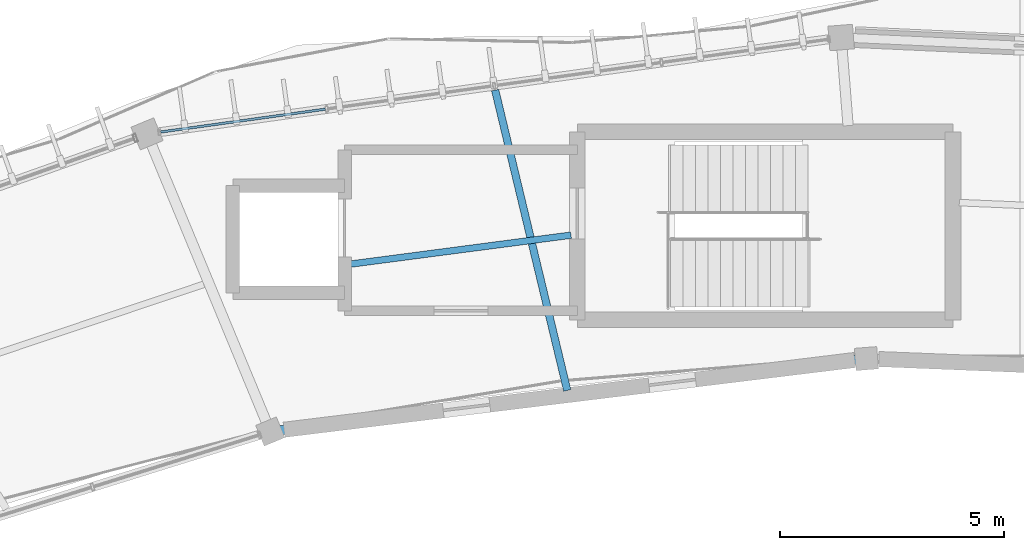
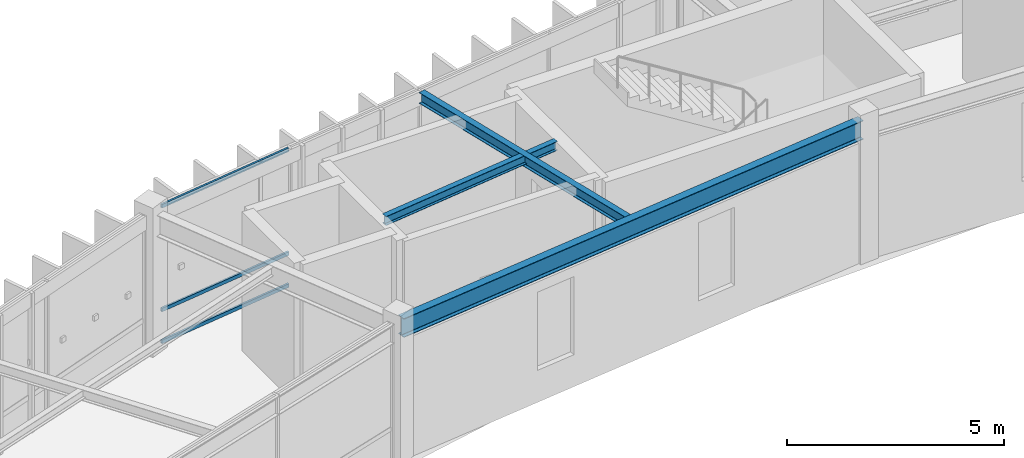
# One storey, part 34 of 79: 3 beams, 3 members, 1 element without a shape of its own.
"""IFC4 building model written with IfcOpenShell, lengths in metres."""

from ifc_helpers import new_model, si_unit, direction, frame, origin, origin_2d, place, context, subcontext, project, spatial, hollow_rectangle, i_section, extrude, material, material_profile, profile_set, type_object, element, aggregate, save


model = new_model("IFC4")

# Units and contexts
model_context = context("Model", 3, precision=1e-05, world=origin(), true_north=direction((0.0, 1.0)))
body_context = subcontext(model_context, "Body", "Model", "MODEL_VIEW")
ifc_project = project(units=[si_unit("LENGTHUNIT", "METRE"), si_unit("AREAUNIT", "SQUARE_METRE"), si_unit("VOLUMEUNIT", "CUBIC_METRE"), si_unit("PLANEANGLEUNIT", "RADIAN"), si_unit("MASSUNIT", "GRAM", prefix="KILO"), si_unit("THERMODYNAMICTEMPERATUREUNIT", "KELVIN"), si_unit("POWERUNIT", "WATT")], contexts=[model_context])

# Site, building, storey
site_placement = place(None, origin())
site = spatial("IfcSite", under=ifc_project, at=site_placement, CompositionType="ELEMENT")
building_placement = place(site_placement, origin())
building = spatial("IfcBuilding", under=site, at=building_placement, Name="Darbajah Civic Hall", CompositionType="ELEMENT")
storey_placement = place(building_placement, frame((0.0, 0.0, 22.199951171875)))
storey = spatial("IfcBuildingStorey", under=building, at=storey_placement, Name="L05", CompositionType="ELEMENT", Elevation=22.199951171875)

# Curtain wall, members
ifc_material_1 = material(Name="Anodised Bronze Aluminium and Low-E Glazing", Category="aluminium")
curtain_wall_type = type_object("IfcCurtainWallType", Name="Unitised Curtain Wall CW-66 15100x3900", PredefinedType="USERDEFINED", material=ifc_material_1)
curtain_wall_placement = place(storey_placement, origin())
curtain_wall = element("IfcCurtainWall", 1, at=curtain_wall_placement, inside=storey, type_object=curtain_wall_type, Name="L05 unitised curtain wall CW-V1O-L05-05", ObjectType="UNITISED CURTAIN WALL", PredefinedType="USERDEFINED")
ifc_material_2 = material(Name="Anodised Bronze Aluminium", Category="aluminium")
ifc_material_profile_1 = material_profile(ifc_material_2, hollow_rectangle(XDim=0.054931640625, YDim=0.10009765625, WallThickness=0.0029296875, at=origin_2d()), Name="ALU TRANSOM 55x100")
ifc_profile_set_1 = profile_set([ifc_material_profile_1], Name="Anodised Bronze Aluminium")
member_type = type_object("IfcMemberType", Name="ALU TRANSOM 55x100", PredefinedType="USERDEFINED", material=ifc_profile_set_1)
member_1_placement = place(storey_placement, frame((73.56689453125, 117.607666015625, 0.050048828125), z_axis=(-0.990491775359, -0.137571955521, 0.0), x_axis=(0.137571955521, -0.990491775359, 0.0)))
member_1 = element("IfcMember", 2, at=member_1_placement, type_object=member_type, Name="CW-V1O-L05-05 transom 4.1", ObjectType="TRANSOM", PredefinedType="USERDEFINED", context=body_context, shape_type="SweptSolid", body=[
    extrude(hollow_rectangle(XDim=0.054931640625, YDim=0.10009765625, WallThickness=0.0029296875, at=origin_2d()), origin(), (0.0, 0.0, 1.0), 3.712646484375),
])
member_2_placement = place(storey_placement, frame((73.56689453125, 117.607666015625, 0.949951171875), z_axis=(-0.990491775359, -0.137571955521, 0.0), x_axis=(0.137571955521, -0.990491775359, 0.0)))
member_2 = element("IfcMember", 3, at=member_2_placement, type_object=member_type, Name="CW-V1O-L05-05 transom 4.2", ObjectType="TRANSOM", PredefinedType="USERDEFINED", context=body_context, shape_type="SweptSolid", body=[
    extrude(hollow_rectangle(XDim=0.054931640625, YDim=0.10009765625, WallThickness=0.0029296875, at=origin_2d()), origin(), (0.0, 0.0, 1.0), 3.712646484375),
])
member_3_placement = place(storey_placement, frame((73.56689453125, 117.607666015625, 3.8701171875), z_axis=(-0.990491775359, -0.137571955521, 0.0), x_axis=(0.137571955521, -0.990491775359, 0.0)))
member_3 = element("IfcMember", 4, at=member_3_placement, type_object=member_type, Name="CW-V1O-L05-05 transom 4.3", ObjectType="TRANSOM", PredefinedType="USERDEFINED", context=body_context, shape_type="SweptSolid", body=[
    extrude(hollow_rectangle(XDim=0.054931640625, YDim=0.10009765625, WallThickness=0.0029296875, at=origin_2d()), origin(), (0.0, 0.0, 1.0), 3.712646484375),
])
aggregate(curtain_wall, [member_1, member_2, member_3])

# Beams
ifc_material_3 = material(Name="Steel S355JR", Category="steel")
ifc_material_profile_2 = material_profile(ifc_material_3, i_section(OverallWidth=0.146484375, OverallDepth=0.256103515625, WebThickness=0.00634765625, FlangeThickness=0.010986328125, FilletRadius=0.007568359375, at=origin_2d()), Name="UB 254x146x37")
ifc_profile_set_2 = profile_set([ifc_material_profile_2], Name="Steel S355JR")
beam_type_1 = type_object("IfcBeamType", Name="UB 254x146x37", PredefinedType="JOIST", material=ifc_profile_set_2)
beam_1_placement = place(storey_placement, frame((79.06005859375, 114.791015625, 3.7919921875), z_axis=(-0.991500932095, -0.130099583607, 0.0), x_axis=(0.130099583607, -0.991500932095, 0.0)))
element("IfcBeam", 5, at=beam_1_placement, inside=storey, type_object=beam_type_1, Name="L05 beam SJ-254", PredefinedType="JOIST", context=body_context, shape_type="SweptSolid", body=[
    extrude(i_section(OverallWidth=0.146484375, OverallDepth=0.256103515625, WebThickness=0.00634765625, FlangeThickness=0.010986328125, FilletRadius=0.007568359375, at=origin_2d()), origin(), (0.0, 0.0, 1.0), 4.982177734375),
])
ifc_material_profile_3 = material_profile(ifc_material_3, i_section(OverallWidth=0.165771484375, OverallDepth=0.306640625, WebThickness=0.006591796875, FlangeThickness=0.01171875, FilletRadius=0.0087890625, at=origin_2d()), Name="UB 305x165x46")
ifc_profile_set_3 = profile_set([ifc_material_profile_3], Name="Steel S355JR")
beam_type_2 = type_object("IfcBeamType", Name="UB 305x165x46", PredefinedType="JOIST", material=ifc_profile_set_3)
beam_2_placement = place(storey_placement, frame((78.976318359375, 111.320068359375, 3.766845703125), z_axis=(-0.233446518106, 0.972369643286, 0.0), x_axis=(-0.972369643286, -0.233446518106, 0.0)))
element("IfcBeam", 6, at=beam_2_placement, inside=storey, type_object=beam_type_2, Name="L05 beam SJ-305", PredefinedType="JOIST", context=body_context, shape_type="SweptSolid", body=[
    extrude(i_section(OverallWidth=0.165771484375, OverallDepth=0.306640625, WebThickness=0.006591796875, FlangeThickness=0.01171875, FilletRadius=0.0087890625, at=origin_2d()), origin(), (0.0, 0.0, 1.0), 6.9033203125),
])
ifc_material_profile_4 = material_profile(ifc_material_3, i_section(OverallWidth=0.209228515625, OverallDepth=0.533203125, WebThickness=0.010009765625, FlangeThickness=0.015625, FilletRadius=0.0126953125, at=origin_2d()), Name="UB 533x210x92")
ifc_profile_set_4 = profile_set([ifc_material_profile_4], Name="Steel S355JR")
beam_type_3 = type_object("IfcBeamType", Name="UB 533x210x92", PredefinedType="BEAM", material=ifc_profile_set_4)
beam_3_placement = place(storey_placement, frame((85.583984375, 112.021484375, 3.653564453125), z_axis=(-0.992611744559, -0.121333938216, 0.0), x_axis=(0.121333938216, -0.992611744559, 0.0)))
element("IfcBeam", 7, at=beam_3_placement, inside=storey, type_object=beam_type_3, Name="L05 beam SB-533", PredefinedType="BEAM", context=body_context, shape_type="SweptSolid", body=[
    extrude(i_section(OverallWidth=0.209228515625, OverallDepth=0.533203125, WebThickness=0.010009765625, FlangeThickness=0.015625, FilletRadius=0.0126953125, at=origin_2d()), origin(), (0.0, 0.0, 1.0), 13.263916015625),
])

save(model, "model.ifc")
